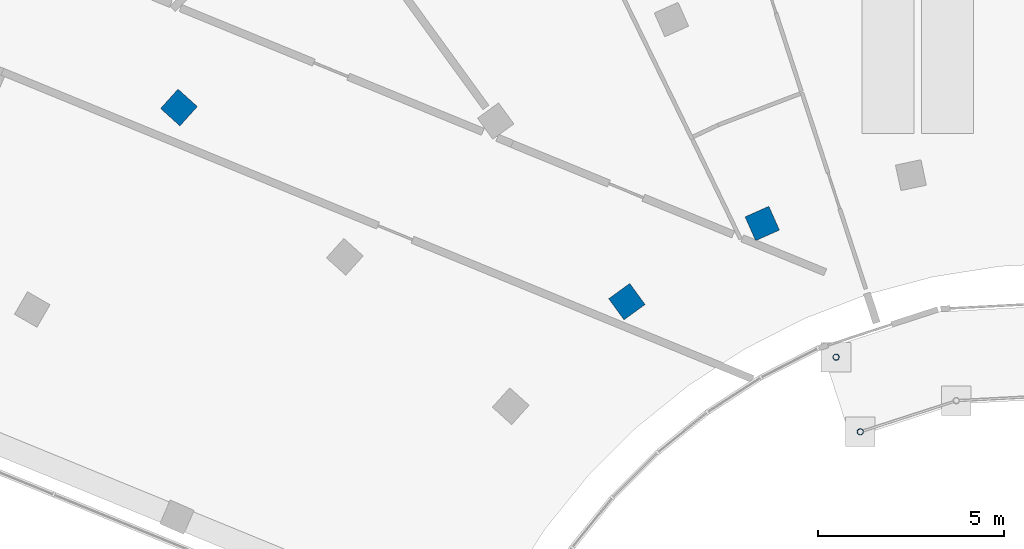
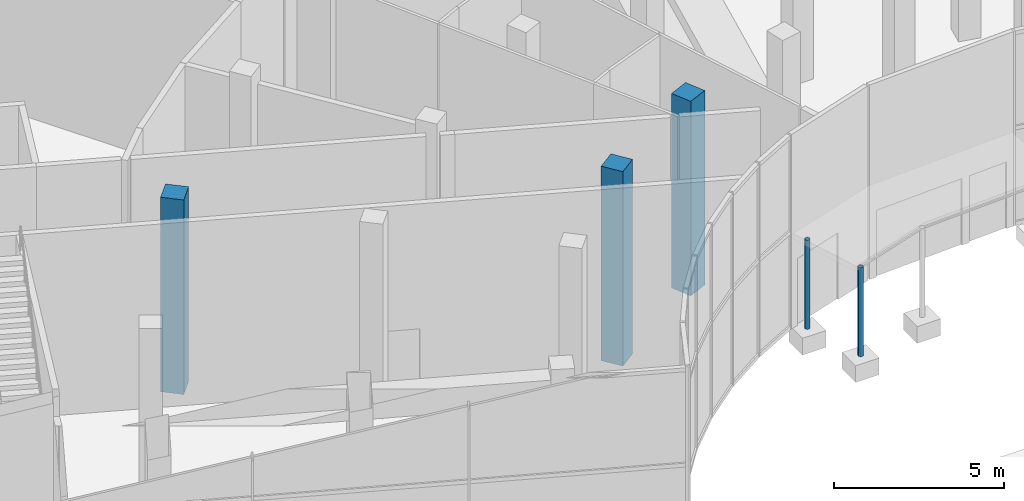
# One storey, part 3 of 60: 5 columns.
"""IFC4 building model written with IfcOpenShell, lengths in metres."""

from ifc_helpers import new_model, si_unit, direction, frame, origin, origin_2d, place, context, subcontext, project, spatial, rectangle, hollow_circle, extrude, material, material_profile, profile_set, type_object, element, save


model = new_model("IFC4")

# Units and contexts
model_context = context("Model", 3, precision=1e-05, world=origin(), true_north=direction((0.0, 1.0)))
body_context = subcontext(model_context, "Body", "Model", "MODEL_VIEW")
ifc_project = project(units=[si_unit("LENGTHUNIT", "METRE"), si_unit("AREAUNIT", "SQUARE_METRE"), si_unit("VOLUMEUNIT", "CUBIC_METRE"), si_unit("PLANEANGLEUNIT", "RADIAN"), si_unit("MASSUNIT", "GRAM", prefix="KILO")], contexts=[model_context])

# Site, building, storey
site_placement = place(None, origin())
site = spatial("IfcSite", under=ifc_project, at=site_placement, CompositionType="ELEMENT")
building_placement = place(site_placement, origin())
building = spatial("IfcBuilding", under=site, at=building_placement, Name="Stone Belt Terrace Tower", CompositionType="ELEMENT")
storey_placement = place(building_placement, origin())
storey = spatial("IfcBuildingStorey", under=building, at=storey_placement, Name="L00", CompositionType="ELEMENT", Elevation=0.0)

# Columns
ifc_material_1 = material(Name="Structural steel C345", Category="steel")
ifc_material_profile_1 = material_profile(ifc_material_1, hollow_circle(Radius=0.083984375, WallThickness=0.008056640625, at=origin_2d()), Name="Structural steel C345 CHS 168x8")
ifc_profile_set_1 = profile_set([ifc_material_profile_1], Name="Structural steel C345")
column_type_1 = type_object("IfcColumnType", Name="Canopy post CHS 168 x 8", PredefinedType="COLUMN", material=ifc_profile_set_1)
for number, where, z_axis, x_axis, name in (
    (1, (-5.53955078125, 12.762451171875, 0.0), (0.0, 0.0, 1.0), (1.0, 0.0, 0.0), "Canopy post L00 00-07"),
    (2, (-6.191650390625, 14.76904296875, 0.0), (0.0, 0.0, 1.0), (1.0, 0.0, 0.0), "Canopy post L00 00-07"),
):
    element("IfcColumn", number, at=place(storey_placement, frame(where, z_axis=z_axis, x_axis=x_axis)), inside=storey, type_object=column_type_1, Name=name, PredefinedType="COLUMN", context=body_context, shape_type="SweptSolid", body=[
        extrude(hollow_circle(Radius=0.083984375, WallThickness=0.008056640625, at=origin_2d()), origin(), (0.0, 0.0, 1.0), 3.199951171875),
    ])
ifc_material_2 = material(Name="Concrete B60", Category="concrete")
ifc_material_profile_2 = material_profile(ifc_material_2, rectangle(XDim=0.699951171875, YDim=0.699951171875, at=origin_2d()), Name="RC 700x700")
ifc_profile_set_2 = profile_set([ifc_material_profile_2], Name="Concrete B60")
column_type_2 = type_object("IfcColumnType", Name="Column RC 700x700 B60", PredefinedType="COLUMN", material=ifc_profile_set_2)
for number, where, z_axis, x_axis, name in (
    (3, (-11.814453125, 16.26123046875, 0.0), (0.0, 0.0, 1.0), (0.809016994375, 0.587785252292, 0.0), "Column L00 M16"),
    (4, (-8.17529296875, 18.3623046875, 0.0), (0.0, 0.0, 1.0), (0.913545457643, 0.406736643076, 0.0), "Column L00 M18"),
    (5, (-23.85498046875, 21.47900390625, 0.0), (0.0, 0.0, 1.0), (0.669130606359, 0.743144825477, 0.0), "Column L00 O14"),
):
    element("IfcColumn", number, at=place(storey_placement, frame(where, z_axis=z_axis, x_axis=x_axis)), inside=storey, type_object=column_type_2, Name=name, PredefinedType="COLUMN", context=body_context, shape_type="SweptSolid", body=[
        extrude(rectangle(XDim=0.699951171875, YDim=0.699951171875, at=origin_2d()), origin(), (0.0, 0.0, 1.0), 7.0),
    ])

save(model, "model.ifc")
